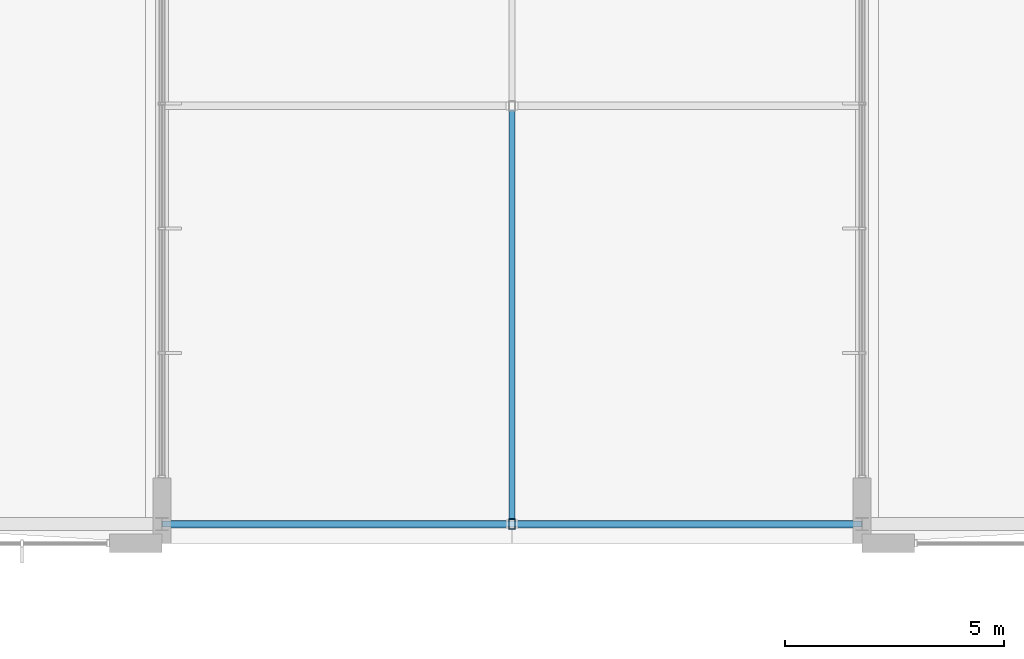
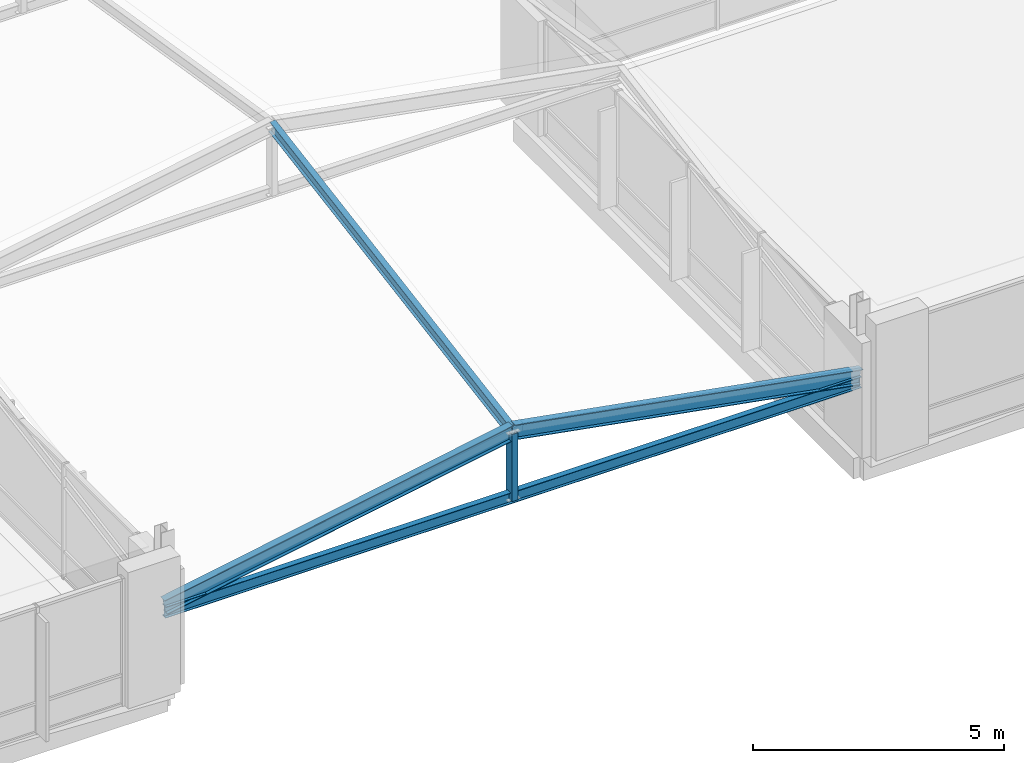
# One storey, part 42 of 189: 4 members, 1 beam.
"""IFC4 building model written with IfcOpenShell, lengths in metres."""

import ifcopenshell
import ifcopenshell.guid

model = None  # the IFC model being written
_history = None  # IfcOwnerHistory: only IFC2X3 demands one
_inside = {}  # id of a spatial element -> (the spatial element, [elements in it])
_under = {}  # id of a project, library or spatial element -> (it, [spatial elements below it])
_declared = {}  # id of a project -> (the project, [libraries it declares])
_typed = {}  # id of a type object -> (the type object, [elements of that type])
_made_of = {}  # id of a material, layer set ... -> (it, [elements and type objects made of it])


def new_model(schema):
    """Start an empty IFC model of exactly this schema.

    Asked for "IFC4X3", IfcOpenShell would pick the latest addendum, in which some entities
    have other attributes; the version numbers below select the first issue.
    IFC2X3 requires an IfcOwnerHistory on every rooted entity: one is made here for all.
    """
    global model, _history
    if schema == "IFC4X3":
        model = ifcopenshell.file(schema_version=(4, 3, 0, 0))
    else:
        model = ifcopenshell.file(schema=schema)
    _inside.clear()
    _under.clear()
    _declared.clear()
    _typed.clear()
    _made_of.clear()
    _history = None
    if model.schema == "IFC2X3":
        org = make("IfcOrganization", Name="unknown")
        user = make(
            "IfcPersonAndOrganization",
            ThePerson=make("IfcPerson", FamilyName="unknown"),
            TheOrganization=org,
        )
        app = make(
            "IfcApplication",
            ApplicationDeveloper=org,
            Version="unknown",
            ApplicationFullName="unknown",
            ApplicationIdentifier="unknown",
        )
        _history = make(
            "IfcOwnerHistory",
            OwningUser=user,
            OwningApplication=app,
            ChangeAction="ADDED",
            CreationDate=0,
        )
    return model


def make(cls, **values):
    """One entity of the class cls with the attributes given. An attribute that is None is left unset."""
    return model.create_entity(
        cls, **{name: value for name, value in values.items() if value is not None}
    )


def rooted(cls, **values):
    """An entity with a GlobalId (a new one), such as an element, a storey or a relation."""
    return make(cls, GlobalId=ifcopenshell.guid.new(), OwnerHistory=_history, **values)


def si_unit(unit_type, name, prefix=None):
    """IfcSIUnit, for example si_unit("LENGTHUNIT", "METRE", prefix="MILLI")."""
    return make("IfcSIUnit", UnitType=unit_type, Prefix=prefix, Name=name)


def assignment(units):
    """IfcUnitAssignment: the units of a project."""
    return None if units is None else make("IfcUnitAssignment", Units=units)


def point(xyz):
    """IfcCartesianPoint."""
    return None if xyz is None else make("IfcCartesianPoint", Coordinates=xyz)


def direction(xyz):
    """IfcDirection."""
    return None if xyz is None else make("IfcDirection", DirectionRatios=xyz)


def frame(location, z_axis=None, x_axis=None):
    """IfcAxis2Placement3D, a coordinate frame: its origin and axes. An axis left out is left unset."""
    return make(
        "IfcAxis2Placement3D",
        Location=point(location),
        Axis=direction(z_axis),
        RefDirection=direction(x_axis),
    )


def frame_2d(location, x_axis=None):
    """IfcAxis2Placement2D, a coordinate frame in the plane: its origin and x axis."""
    return make(
        "IfcAxis2Placement2D", Location=point(location), RefDirection=direction(x_axis)
    )


def origin():
    """The frame at (0, 0, 0) with its axes left unset."""
    return frame((0.0, 0.0, 0.0))


def origin_2d():
    """The frame at (0, 0) in the plane with its x axis left unset."""
    return frame_2d((0.0, 0.0))


def place(relative_to, where):
    """IfcLocalPlacement: puts the frame where relative to a parent placement (None: the world)."""
    return make(
        "IfcLocalPlacement", PlacementRelTo=relative_to, RelativePlacement=where
    )


def context(
    kind, dimensions, precision=None, world=None, true_north=None, identifier=None
):
    """IfcGeometricRepresentationContext, for example the 3D "Model" context."""
    return make(
        "IfcGeometricRepresentationContext",
        ContextIdentifier=identifier,
        ContextType=kind,
        CoordinateSpaceDimension=dimensions,
        Precision=precision,
        WorldCoordinateSystem=world,
        TrueNorth=true_north,
    )


def subcontext(parent, identifier, kind, view, scale=None):
    """IfcGeometricRepresentationSubContext, for example "Body" below "Model"."""
    return make(
        "IfcGeometricRepresentationSubContext",
        ContextIdentifier=identifier,
        ContextType=kind,
        ParentContext=parent,
        TargetScale=scale,
        TargetView=view,
    )


def project(units=None, contexts=None):
    """IfcProject with its units and contexts."""
    return rooted(
        "IfcProject",
        Name="project",
        RepresentationContexts=contexts,
        UnitsInContext=assignment(units),
    )


def spatial(cls, under=None, at=None, **own):
    """A site, building, storey or space (cls), placed at a placement, below another one or the project."""
    s = rooted(cls, ObjectPlacement=at, **own)
    if under is not None:
        _under.setdefault(under.id(), (under, []))[1].append(s)
    return s


def profile(cls, at=None, kind="AREA", **sizes):
    """A parametric profile (cls). Its sizes go by their IFC names, for example OverallWidth=200.0."""
    return make(cls, ProfileType=kind, Position=at, **sizes)


def hollow_rectangle(**sizes):
    """IfcRectangleHollowProfileDef."""
    return profile("IfcRectangleHollowProfileDef", **sizes)


def i_section(**sizes):
    """IfcIShapeProfileDef."""
    return profile("IfcIShapeProfileDef", **sizes)


def extrude(swept, where, along, depth):
    """IfcExtrudedAreaSolid: the profile swept, set in the frame where, extruded along a direction by depth."""
    return make(
        "IfcExtrudedAreaSolid",
        SweptArea=swept,
        Position=where,
        ExtrudedDirection=direction(along),
        Depth=depth,
    )


def shape(context_of_items, identifier, shape_type, items):
    """IfcShapeRepresentation: the items that make up one representation, for example the "Body"."""
    return make(
        "IfcShapeRepresentation",
        ContextOfItems=context_of_items,
        RepresentationIdentifier=identifier,
        RepresentationType=shape_type,
        Items=items,
    )


def material(Name=None, Category=None):
    """IfcMaterial."""
    return make("IfcMaterial", Name=Name, Category=Category)


def material_profile(
    of_material, cross_section, Name=None, Category=None, Priority=None
):
    """IfcMaterialProfile: a cross section and its material."""
    return make(
        "IfcMaterialProfile",
        Name=Name,
        Material=of_material,
        Profile=cross_section,
        Priority=Priority,
        Category=Category,
    )


def profile_set(profiles, Name=None, composite=None):
    """IfcMaterialProfileSet."""
    return make(
        "IfcMaterialProfileSet",
        Name=Name,
        MaterialProfiles=profiles,
        CompositeProfile=composite,
    )


def made_of(thing, what):
    """Note that an element or type object is made of a material, layer set ...; save() writes the relation."""
    if what is not None:
        _made_of.setdefault(what.id(), (what, []))[1].append(thing)
    return thing


def type_object(cls, material=None, **own):
    """A type object (cls), such as IfcWallType, which elements share."""
    return made_of(rooted(cls, **own), material)


def element(
    cls,
    number,
    at=None,
    inside=None,
    cuts=None,
    type_object=None,
    material=None,
    context=None,
    identifier="Body",
    shape_type=None,
    held_by="IfcProductDefinitionShape",
    body=None,
    shapes=None,
    **own,
):
    """One element of the class cls, such as IfcWall. Its Tag is "e" and its number.

    at: its placement. inside: the storey or other place that contains it. cuts: it is an
    opening in that element (IfcRelVoidsElement). A single representation is given by context,
    identifier, shape_type and body (its items); several are given by shapes. held_by: the class
    of the entity that holds the representations. save() writes the other relations.
    """
    e = rooted(cls, Tag="e%d" % number, ObjectPlacement=at, **own)
    if body is not None:
        shapes = [shape(context, identifier, shape_type, body)]
    if shapes is not None:
        e.Representation = make(held_by, Representations=shapes)
    if inside is not None:
        _inside.setdefault(inside.id(), (inside, []))[1].append(e)
    if cuts is not None:
        rooted(
            "IfcRelVoidsElement", RelatingBuildingElement=cuts, RelatedOpeningElement=e
        )
    if type_object is not None:
        _typed.setdefault(type_object.id(), (type_object, []))[1].append(e)
    return made_of(e, material)


def aggregate(whole, parts):
    """IfcRelAggregates: a whole, such as a stair, and the parts it consists of."""
    return rooted("IfcRelAggregates", RelatingObject=whole, RelatedObjects=parts)


def save(model, path):
    """Write the relations noted so far, then the file.

    IfcRelAggregates (storeys below a building ...), IfcRelContainedInSpatialStructure (elements
    in a storey), IfcRelDefinesByType, IfcRelAssociatesMaterial and IfcRelDeclares: one each for
    every whole, place, type object, material and project.
    """
    for whole, parts in _under.values():
        aggregate(whole, parts)
    for where, things in _inside.values():
        rooted(
            "IfcRelContainedInSpatialStructure",
            RelatedElements=things,
            RelatingStructure=where,
        )
    for kind, things in _typed.values():
        rooted("IfcRelDefinesByType", RelatedObjects=things, RelatingType=kind)
    for what, things in _made_of.values():
        rooted("IfcRelAssociatesMaterial", RelatedObjects=things, RelatingMaterial=what)
    for by, libraries in _declared.values():
        rooted("IfcRelDeclares", RelatingContext=by, RelatedDefinitions=libraries)
    model.write(path)


model = new_model("IFC4")

# Units and contexts
model_context = context("Model", 3, precision=1e-05, world=origin(), true_north=direction((0.0, 1.0)))
body_context = subcontext(model_context, "Body", "Model", "MODEL_VIEW")
ifc_project = project(units=[si_unit("LENGTHUNIT", "METRE"), si_unit("AREAUNIT", "SQUARE_METRE"), si_unit("VOLUMEUNIT", "CUBIC_METRE"), si_unit("PLANEANGLEUNIT", "RADIAN"), si_unit("MASSUNIT", "GRAM", prefix="KILO")], contexts=[model_context])

# Site, building, storey
site_placement = place(None, origin())
site = spatial("IfcSite", under=ifc_project, at=site_placement, CompositionType="ELEMENT")
building_placement = place(site_placement, origin())
building = spatial("IfcBuilding", under=site, at=building_placement, Name="Zavelmont Quarter", CompositionType="ELEMENT")
storey_placement = place(building_placement, frame((0.0, 0.0, 4.39990234375)))
storey = spatial("IfcBuildingStorey", under=building, at=storey_placement, Name="L01", CompositionType="ELEMENT", Elevation=4.39990234375)

# Beam
ifc_material = material(Name="Steel S355", Category="steel")
ifc_material_profile_1 = material_profile(ifc_material, i_section(OverallWidth=0.135009765625, OverallDepth=0.27001953125, WebThickness=0.006591796875, FlangeThickness=0.01025390625, at=origin_2d()), Name="IPE 270")
ifc_profile_set_1 = profile_set([ifc_material_profile_1], Name="Steel S355")
beam_type = type_object("IfcBeamType", Name="BM14", PredefinedType="JOIST", material=ifc_profile_set_1)
beam_placement = place(storey_placement, frame((76.0, 0.43994140625, 1.565185546875), z_axis=(1.0, 0.0, 0.0), x_axis=(0.0, 1.0, 0.0)))
element("IfcBeam", 1, at=beam_placement, inside=storey, type_object=beam_type, Name="L01 beam BM14 12/A to 14/A", PredefinedType="JOIST", context=body_context, shape_type="SweptSolid", body=[
    extrude(i_section(OverallWidth=0.135009765625, OverallDepth=0.27001953125, WebThickness=0.006591796875, FlangeThickness=0.01025390625, at=origin_2d()), origin(), (0.0, 0.0, 1.0), 16.0),
])

# Members
ifc_material_profile_2 = material_profile(ifc_material, hollow_rectangle(XDim=0.139892578125, YDim=0.239990234375, WallThickness=0.010009765625, at=origin_2d()), Name="RHS 240X140X10")
ifc_profile_set_2 = profile_set([ifc_material_profile_2], Name="Steel S355")
member_type_1 = type_object("IfcMemberType", Name="CLM1", PredefinedType="CHORD", material=ifc_profile_set_2)
member_1_placement = place(storey_placement, frame((84.0, 0.43994140625, 1.52001953125), z_axis=(0.0, 0.0, 1.0), x_axis=(1.0, 0.0, 0.0)))
element("IfcMember", 2, at=member_1_placement, inside=storey, type_object=member_type_1, Name="L01 member CLM1 13/A to 13/A", PredefinedType="CHORD", context=body_context, shape_type="SweptSolid", body=[
    extrude(hollow_rectangle(XDim=0.139892578125, YDim=0.239990234375, WallThickness=0.010009765625, at=origin_2d()), origin(), (0.0, 0.0, 1.0), 1.630126953125),
])
ifc_material_profile_3 = material_profile(ifc_material, i_section(OverallWidth=0.135009765625, OverallDepth=0.27001953125, WebThickness=0.006591796875, FlangeThickness=0.01025390625, at=origin_2d()), Name="IPE 270")
ifc_profile_set_3 = profile_set([ifc_material_profile_3], Name="Steel S355")
member_type_2 = type_object("IfcMemberType", Name="PR01", PredefinedType="PURLIN", material=ifc_profile_set_3)
member_2_placement = place(storey_placement, frame((84.0, 0.43994140625, 3.150146484375), z_axis=(0.0, 0.985946642344, 0.167060523315), x_axis=(-1.0, 0.0, 0.0)))
element("IfcMember", 3, at=member_2_placement, inside=storey, type_object=member_type_2, Name="L01 member PR01 13/A to 13/C", PredefinedType="PURLIN", context=body_context, shape_type="SweptSolid", body=[
    extrude(i_section(OverallWidth=0.135009765625, OverallDepth=0.27001953125, WebThickness=0.006591796875, FlangeThickness=0.01025390625, at=origin_2d()), origin(), (0.0, 0.0, 1.0), 9.6962890625),
])
ifc_material_profile_4 = material_profile(ifc_material, i_section(OverallWidth=0.169921875, OverallDepth=0.360107421875, WebThickness=0.008056640625, FlangeThickness=0.0126953125, at=origin_2d()), Name="IPE 360")
ifc_profile_set_4 = profile_set([ifc_material_profile_4], Name="Steel S355")
member_type_3 = type_object("IfcMemberType", Name="RFM2", PredefinedType="RAFTER", material=ifc_profile_set_4)
for number, where, z_axis, x_axis, name in (
    (4, (76.0, 0.43994140625, 1.7001953125), (0.983969211964, 0.0, 0.178338413997), (0.0, 1.0, 0.0), "L01 member RFM2 12/A to 13/A"),
    (5, (84.0, 0.43994140625, 3.150146484375), (0.983969211964, 0.0, -0.178338413997), (0.0, 1.0, 0.0), "L01 member RFM2 13/A to 14/A"),
):
    element("IfcMember", number, at=place(storey_placement, frame(where, z_axis=z_axis, x_axis=x_axis)), inside=storey, type_object=member_type_3, Name=name, PredefinedType="RAFTER", context=body_context, shape_type="SweptSolid", body=[
        extrude(i_section(OverallWidth=0.169921875, OverallDepth=0.360107421875, WebThickness=0.008056640625, FlangeThickness=0.0126953125, at=origin_2d()), origin(), (0.0, 0.0, 1.0), 8.13037109375),
    ])

save(model, "model.ifc")
